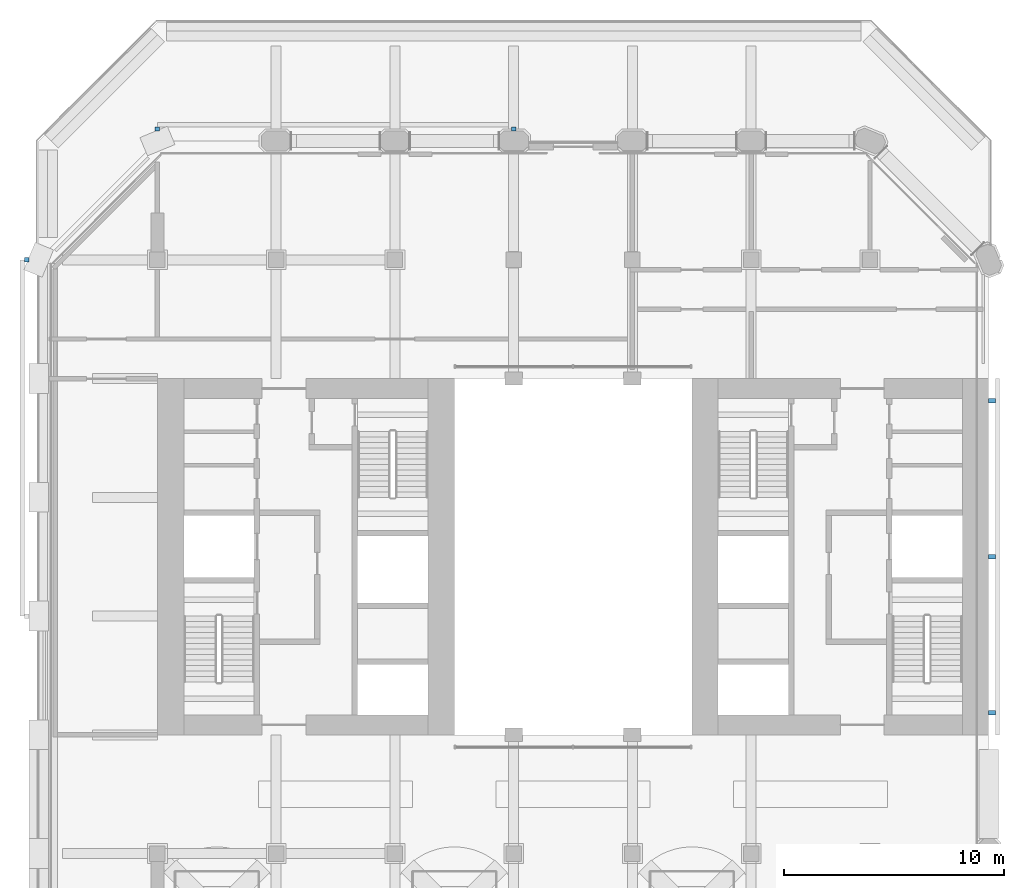
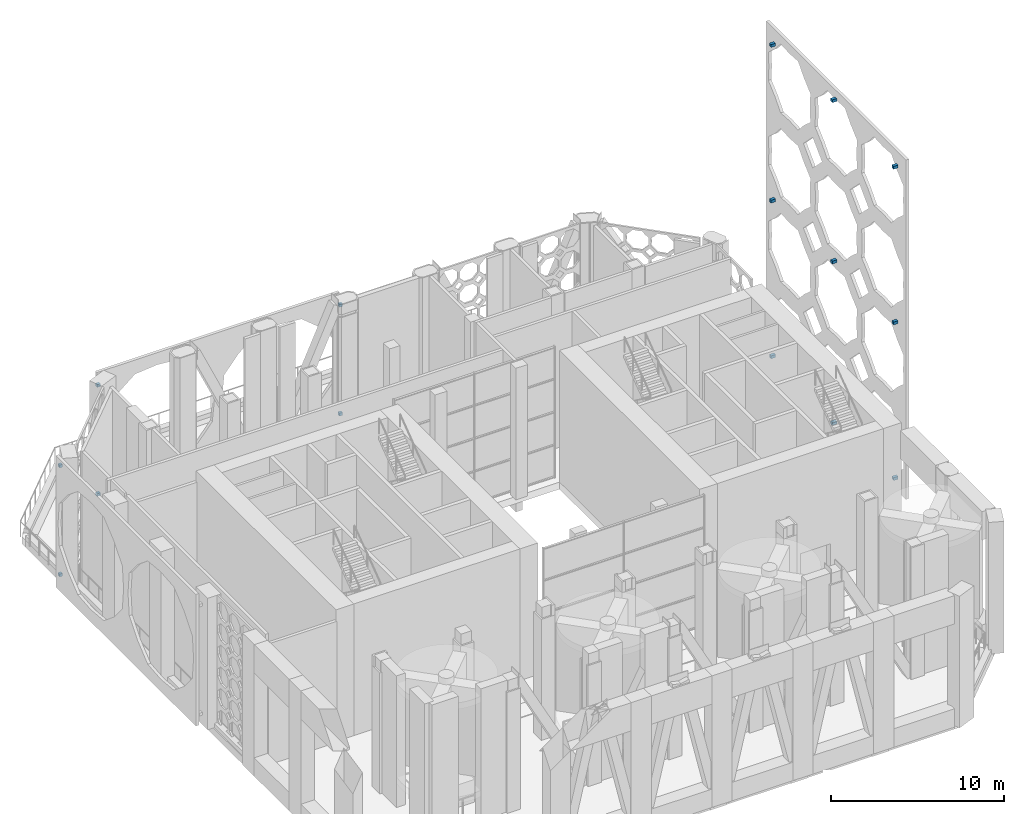
# One storey, part 20 of 28: 15 discrete accessories.
"""IFC4 building model written with IfcOpenShell, lengths in metres."""

import ifcopenshell
import ifcopenshell.guid

model = None  # the IFC model being written
_history = None  # IfcOwnerHistory: only IFC2X3 demands one
_inside = {}  # id of a spatial element -> (the spatial element, [elements in it])
_under = {}  # id of a project, library or spatial element -> (it, [spatial elements below it])
_declared = {}  # id of a project -> (the project, [libraries it declares])
_typed = {}  # id of a type object -> (the type object, [elements of that type])
_made_of = {}  # id of a material, layer set ... -> (it, [elements and type objects made of it])


def new_model(schema):
    """Start an empty IFC model of exactly this schema.

    Asked for "IFC4X3", IfcOpenShell would pick the latest addendum, in which some entities
    have other attributes; the version numbers below select the first issue.
    IFC2X3 requires an IfcOwnerHistory on every rooted entity: one is made here for all.
    """
    global model, _history
    if schema == "IFC4X3":
        model = ifcopenshell.file(schema_version=(4, 3, 0, 0))
    else:
        model = ifcopenshell.file(schema=schema)
    _inside.clear()
    _under.clear()
    _declared.clear()
    _typed.clear()
    _made_of.clear()
    _history = None
    if model.schema == "IFC2X3":
        org = make("IfcOrganization", Name="unknown")
        user = make(
            "IfcPersonAndOrganization",
            ThePerson=make("IfcPerson", FamilyName="unknown"),
            TheOrganization=org,
        )
        app = make(
            "IfcApplication",
            ApplicationDeveloper=org,
            Version="unknown",
            ApplicationFullName="unknown",
            ApplicationIdentifier="unknown",
        )
        _history = make(
            "IfcOwnerHistory",
            OwningUser=user,
            OwningApplication=app,
            ChangeAction="ADDED",
            CreationDate=0,
        )
    return model


def make(cls, **values):
    """One entity of the class cls with the attributes given. An attribute that is None is left unset."""
    return model.create_entity(
        cls, **{name: value for name, value in values.items() if value is not None}
    )


def rooted(cls, **values):
    """An entity with a GlobalId (a new one), such as an element, a storey or a relation."""
    return make(cls, GlobalId=ifcopenshell.guid.new(), OwnerHistory=_history, **values)


def si_unit(unit_type, name, prefix=None):
    """IfcSIUnit, for example si_unit("LENGTHUNIT", "METRE", prefix="MILLI")."""
    return make("IfcSIUnit", UnitType=unit_type, Prefix=prefix, Name=name)


def assignment(units):
    """IfcUnitAssignment: the units of a project."""
    return None if units is None else make("IfcUnitAssignment", Units=units)


def point(xyz):
    """IfcCartesianPoint."""
    return None if xyz is None else make("IfcCartesianPoint", Coordinates=xyz)


def direction(xyz):
    """IfcDirection."""
    return None if xyz is None else make("IfcDirection", DirectionRatios=xyz)


def frame(location, z_axis=None, x_axis=None):
    """IfcAxis2Placement3D, a coordinate frame: its origin and axes. An axis left out is left unset."""
    return make(
        "IfcAxis2Placement3D",
        Location=point(location),
        Axis=direction(z_axis),
        RefDirection=direction(x_axis),
    )


def frame_2d(location, x_axis=None):
    """IfcAxis2Placement2D, a coordinate frame in the plane: its origin and x axis."""
    return make(
        "IfcAxis2Placement2D", Location=point(location), RefDirection=direction(x_axis)
    )


def origin():
    """The frame at (0, 0, 0) with its axes left unset."""
    return frame((0.0, 0.0, 0.0))


def origin_2d():
    """The frame at (0, 0) in the plane with its x axis left unset."""
    return frame_2d((0.0, 0.0))


def place(relative_to, where):
    """IfcLocalPlacement: puts the frame where relative to a parent placement (None: the world)."""
    return make(
        "IfcLocalPlacement", PlacementRelTo=relative_to, RelativePlacement=where
    )


def context(
    kind, dimensions, precision=None, world=None, true_north=None, identifier=None
):
    """IfcGeometricRepresentationContext, for example the 3D "Model" context."""
    return make(
        "IfcGeometricRepresentationContext",
        ContextIdentifier=identifier,
        ContextType=kind,
        CoordinateSpaceDimension=dimensions,
        Precision=precision,
        WorldCoordinateSystem=world,
        TrueNorth=true_north,
    )


def subcontext(parent, identifier, kind, view, scale=None):
    """IfcGeometricRepresentationSubContext, for example "Body" below "Model"."""
    return make(
        "IfcGeometricRepresentationSubContext",
        ContextIdentifier=identifier,
        ContextType=kind,
        ParentContext=parent,
        TargetScale=scale,
        TargetView=view,
    )


def project(units=None, contexts=None):
    """IfcProject with its units and contexts."""
    return rooted(
        "IfcProject",
        Name="project",
        RepresentationContexts=contexts,
        UnitsInContext=assignment(units),
    )


def spatial(cls, under=None, at=None, **own):
    """A site, building, storey or space (cls), placed at a placement, below another one or the project."""
    s = rooted(cls, ObjectPlacement=at, **own)
    if under is not None:
        _under.setdefault(under.id(), (under, []))[1].append(s)
    return s


def profile(cls, at=None, kind="AREA", **sizes):
    """A parametric profile (cls). Its sizes go by their IFC names, for example OverallWidth=200.0."""
    return make(cls, ProfileType=kind, Position=at, **sizes)


def rectangle(**sizes):
    """IfcRectangleProfileDef."""
    return profile("IfcRectangleProfileDef", **sizes)


def extrude(swept, where, along, depth):
    """IfcExtrudedAreaSolid: the profile swept, set in the frame where, extruded along a direction by depth."""
    return make(
        "IfcExtrudedAreaSolid",
        SweptArea=swept,
        Position=where,
        ExtrudedDirection=direction(along),
        Depth=depth,
    )


def shape(context_of_items, identifier, shape_type, items):
    """IfcShapeRepresentation: the items that make up one representation, for example the "Body"."""
    return make(
        "IfcShapeRepresentation",
        ContextOfItems=context_of_items,
        RepresentationIdentifier=identifier,
        RepresentationType=shape_type,
        Items=items,
    )


def made_of(thing, what):
    """Note that an element or type object is made of a material, layer set ...; save() writes the relation."""
    if what is not None:
        _made_of.setdefault(what.id(), (what, []))[1].append(thing)
    return thing


def element(
    cls,
    number,
    at=None,
    inside=None,
    cuts=None,
    type_object=None,
    material=None,
    context=None,
    identifier="Body",
    shape_type=None,
    held_by="IfcProductDefinitionShape",
    body=None,
    shapes=None,
    **own,
):
    """One element of the class cls, such as IfcWall. Its Tag is "e" and its number.

    at: its placement. inside: the storey or other place that contains it. cuts: it is an
    opening in that element (IfcRelVoidsElement). A single representation is given by context,
    identifier, shape_type and body (its items); several are given by shapes. held_by: the class
    of the entity that holds the representations. save() writes the other relations.
    """
    e = rooted(cls, Tag="e%d" % number, ObjectPlacement=at, **own)
    if body is not None:
        shapes = [shape(context, identifier, shape_type, body)]
    if shapes is not None:
        e.Representation = make(held_by, Representations=shapes)
    if inside is not None:
        _inside.setdefault(inside.id(), (inside, []))[1].append(e)
    if cuts is not None:
        rooted(
            "IfcRelVoidsElement", RelatingBuildingElement=cuts, RelatedOpeningElement=e
        )
    if type_object is not None:
        _typed.setdefault(type_object.id(), (type_object, []))[1].append(e)
    return made_of(e, material)


def aggregate(whole, parts):
    """IfcRelAggregates: a whole, such as a stair, and the parts it consists of."""
    return rooted("IfcRelAggregates", RelatingObject=whole, RelatedObjects=parts)


def save(model, path):
    """Write the relations noted so far, then the file.

    IfcRelAggregates (storeys below a building ...), IfcRelContainedInSpatialStructure (elements
    in a storey), IfcRelDefinesByType, IfcRelAssociatesMaterial and IfcRelDeclares: one each for
    every whole, place, type object, material and project.
    """
    for whole, parts in _under.values():
        aggregate(whole, parts)
    for where, things in _inside.values():
        rooted(
            "IfcRelContainedInSpatialStructure",
            RelatedElements=things,
            RelatingStructure=where,
        )
    for kind, things in _typed.values():
        rooted("IfcRelDefinesByType", RelatedObjects=things, RelatingType=kind)
    for what, things in _made_of.values():
        rooted("IfcRelAssociatesMaterial", RelatedObjects=things, RelatingMaterial=what)
    for by, libraries in _declared.values():
        rooted("IfcRelDeclares", RelatingContext=by, RelatedDefinitions=libraries)
    model.write(path)


model = new_model("IFC4")

# Units and contexts
model_context = context("Model", 3, precision=1e-05, world=origin(), true_north=direction((0.0, 1.0)))
body_context = subcontext(model_context, "Body", "Model", "MODEL_VIEW")
ifc_project = project(units=[si_unit("LENGTHUNIT", "METRE"), si_unit("AREAUNIT", "SQUARE_METRE"), si_unit("VOLUMEUNIT", "CUBIC_METRE"), si_unit("PLANEANGLEUNIT", "RADIAN"), si_unit("MASSUNIT", "GRAM", prefix="KILO")], contexts=[model_context])

# Site, building, storey
site_placement = place(None, origin())
site = spatial("IfcSite", under=ifc_project, at=site_placement, CompositionType="ELEMENT")
building_placement = place(site_placement, origin())
building = spatial("IfcBuilding", under=site, at=building_placement, Name="Tabaq Tower and Sports Hall", CompositionType="ELEMENT")
storey_placement = place(building_placement, frame((0.0, 0.0, 233.5)))
storey = spatial("IfcBuildingStorey", under=building, at=storey_placement, Name="L59", CompositionType="ELEMENT", Elevation=233.5)

# Discrete accessories
for number, where, z_axis, x_axis, name in (
    (1, (21.60009765625, 43.75, 0.7001953125), (0.0, 0.0, 1.0), (0.0, -1.0, 0.0), "Stainless steel bracket"),
    (2, (21.60009765625, 43.75, 8.39990234375), (0.0, 0.0, 1.0), (0.0, -1.0, 0.0), "Stainless steel bracket"),
    (3, (5.39990234375, 43.75, 0.7001953125), (0.0, 0.0, 1.0), (0.0, -1.0, 0.0), "Stainless steel bracket"),
    (4, (5.39990234375, 43.75, 8.39990234375), (0.0, 0.0, 1.0), (0.0, -1.0, 0.0), "Stainless steel bracket"),
    (5, (-0.550048828125, 37.800048828125, 0.7001953125), (0.0, 0.0, 1.0), (1.0, 0.0, 0.0), "Stainless steel bracket"),
    (6, (-0.550048828125, 37.800048828125, 8.39990234375), (0.0, 0.0, 1.0), (1.0, 0.0, 0.0), "Stainless steel bracket"),
):
    element("IfcDiscreteAccessory", number, at=place(storey_placement, frame(where, z_axis=z_axis, x_axis=x_axis)), inside=storey, Name=name, PredefinedType="BRACKET", context=body_context, shape_type="SweptSolid", body=[
        extrude(rectangle(XDim=0.199951171875, YDim=0.199951171875, at=origin_2d()), origin(), (0.0, 0.0, 1.0), 0.199951171875),
    ])
for number, where, z_axis, x_axis, name in (
    (7, (43.35009765625, 17.199951171875, 4.64990234375), (0.0, 0.0, 1.0), (0.0, 1.0, 0.0), "Stainless steel bracket"),
    (8, (43.35009765625, 17.199951171875, 15.64990234375), (0.0, 0.0, 1.0), (0.0, 1.0, 0.0), "Stainless steel bracket"),
    (9, (43.35009765625, 17.199951171875, 26.64990234375), (0.0, 0.0, 1.0), (0.0, 1.0, 0.0), "Stainless steel bracket"),
    (10, (43.35009765625, 24.300048828125, 4.25), (0.0, 0.0, 1.0), (0.0, 1.0, 0.0), "Stainless steel bracket"),
    (11, (43.35009765625, 24.300048828125, 15.64990234375), (0.0, 0.0, 1.0), (0.0, 1.0, 0.0), "Stainless steel bracket"),
    (12, (43.35009765625, 24.300048828125, 27.0498046875), (0.0, 0.0, 1.0), (0.0, 1.0, 0.0), "Stainless steel bracket"),
    (13, (43.35009765625, 31.39990234375, 4.64990234375), (0.0, 0.0, 1.0), (0.0, 1.0, 0.0), "Stainless steel bracket"),
    (14, (43.35009765625, 31.39990234375, 15.64990234375), (0.0, 0.0, 1.0), (0.0, 1.0, 0.0), "Stainless steel bracket"),
    (15, (43.35009765625, 31.39990234375, 26.64990234375), (0.0, 0.0, 1.0), (0.0, 1.0, 0.0), "Stainless steel bracket"),
):
    element("IfcDiscreteAccessory", number, at=place(storey_placement, frame(where, z_axis=z_axis, x_axis=x_axis)), inside=storey, Name=name, PredefinedType="BRACKET", context=body_context, shape_type="SweptSolid", body=[
        extrude(rectangle(XDim=0.199951171875, YDim=0.300048828125, at=origin_2d()), origin(), (0.0, 0.0, 1.0), 0.199951171875),
    ])

save(model, "model.ifc")
